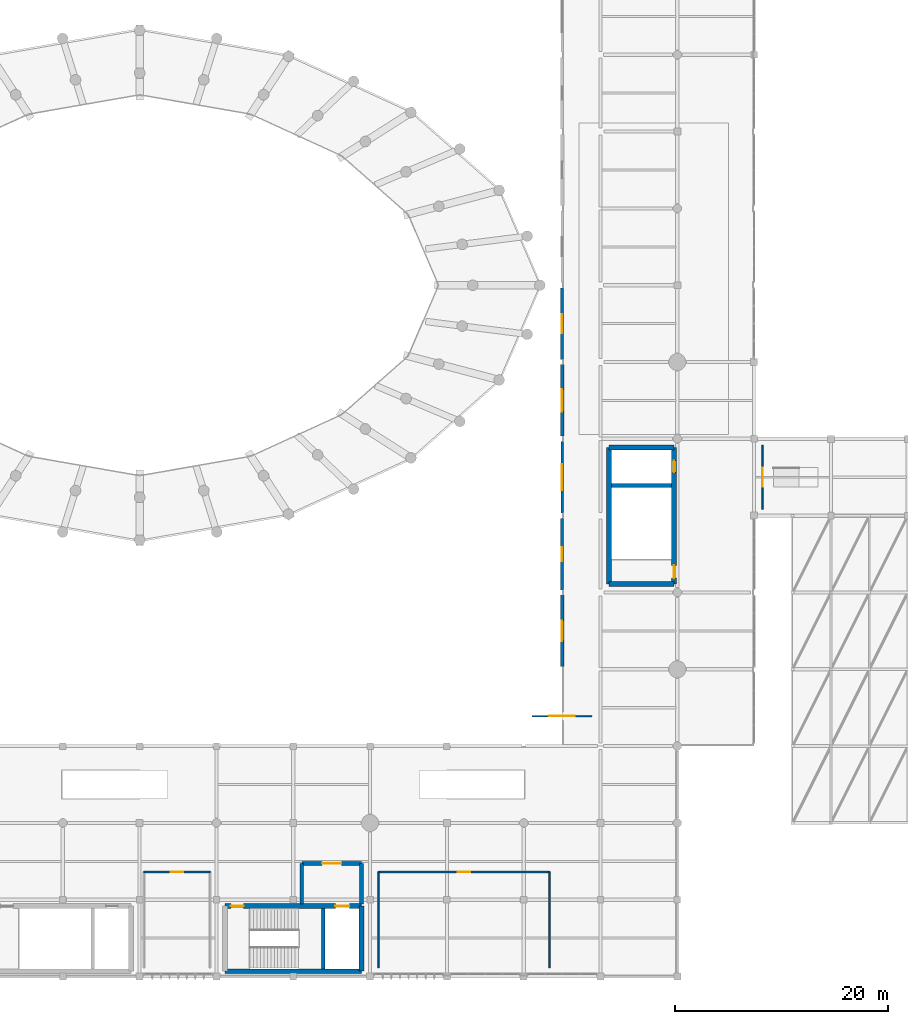
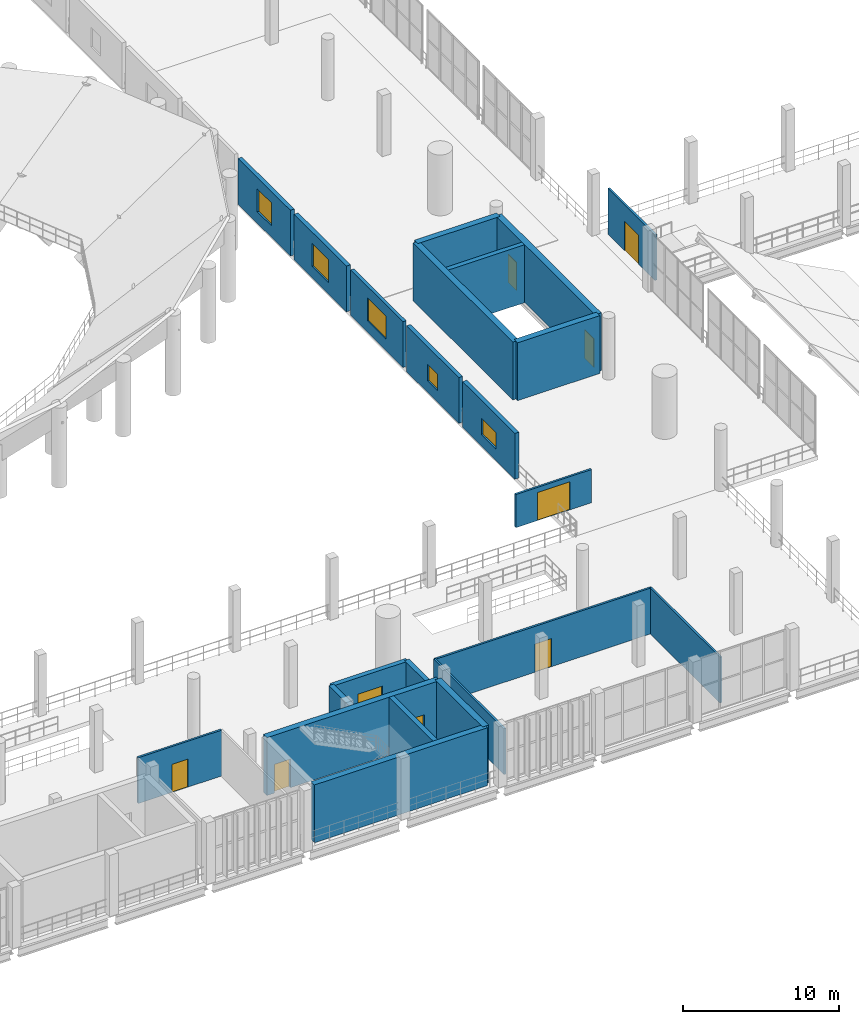
# One storey, part 84 of 105: 23 walls, 9 doors, 5 windows, 14 openings.
"""IFC4 building model written with IfcOpenShell, lengths in metres."""

from ifc_helpers import new_model, si_unit, direction, frame, frame_2d, origin, place, context, subcontext, project, spatial, rectangle, extrude, material, layer, layer_set, type_object, element, fill, save


model = new_model("IFC4")

# Units and contexts
model_context = context("Model", 3, precision=1e-05, world=origin(), true_north=direction((0.0, 1.0)))
body_context = subcontext(model_context, "Body", "Model", "MODEL_VIEW")
ifc_project = project(units=[si_unit("LENGTHUNIT", "METRE"), si_unit("AREAUNIT", "SQUARE_METRE"), si_unit("VOLUMEUNIT", "CUBIC_METRE"), si_unit("PLANEANGLEUNIT", "RADIAN"), si_unit("MASSUNIT", "GRAM", prefix="KILO")], contexts=[model_context])

# Site, building, storey
site_placement = place(None, origin())
site = spatial("IfcSite", under=ifc_project, at=site_placement, CompositionType="ELEMENT")
building_placement = place(site_placement, origin())
building = spatial("IfcBuilding", under=site, at=building_placement, Name="Qandorah Velis Arena", CompositionType="ELEMENT")
storey_placement = place(building_placement, frame((0.0, 0.0, 13.800048828125)))
storey = spatial("IfcBuildingStorey", under=building, at=storey_placement, Name="L03", CompositionType="ELEMENT", Elevation=13.800048828125)

# Wall, opening, window
ifc_material_1 = material(Name="Precast concrete C40/50", Category="concrete")
ifc_layer_1 = layer(ifc_material_1, 0.239990234375)
ifc_layer_set_1 = layer_set([ifc_layer_1], Name="Precast concrete C40/50")
wall_type_1 = type_object("IfcWallType", Name="ARC-WAL-EXT240", PredefinedType="SOLIDWALL", material=ifc_layer_set_1)
wall_1_placement = place(storey_placement, frame((104.39990234375, 43.449951171875, 0.0), z_axis=(0.0, 0.0, 1.0), x_axis=(0.0, 1.0, 0.0)))
wall_1 = element("IfcWall", 1, at=wall_1_placement, inside=storey, type_object=wall_type_1, Name="Precast exterior facade wall L03-21", PredefinedType="SOLIDWALL", context=body_context, shape_type="SweptSolid", body=[
    extrude(rectangle(XDim=6.699951171875, YDim=0.239990234375, at=frame_2d((3.35009765625, 0.0))), origin(), (0.0, 0.0, 1.0), 3.58984375),
])
opening_1_placement = place(wall_1_placement, frame((2.14990234375, 0.0, 0.89990234375)))
opening_1 = element("IfcOpeningElement", 2, at=opening_1_placement, cuts=wall_1, Name="Opening W01", PredefinedType="OPENING", context=body_context, shape_type="SweptSolid", body=[
    extrude(rectangle(XDim=2.39990234375, YDim=1.800048828125, at=frame_2d((1.199951171875, 0.89990234375))), frame((0.0, 0.1298828125, 0.0), z_axis=(0.0, -1.0, 0.0), x_axis=(1.0, 0.0, 0.0)), (0.0, 0.0, 1.0), 0.260009765625),
])
ifc_material_2 = material(Name="Solar-control low-E double glazing", Category="glass")
window_type_1 = type_object("IfcWindowType", Name="ARC-WIN-2400X1800", PartitioningType="TRIPLE_PANEL_HORIZONTAL", PredefinedType="WINDOW", material=ifc_material_2)
window_1_placement = place(opening_1_placement, origin())
window_1 = element("IfcWindow", 3, at=window_1_placement, inside=storey, type_object=window_type_1, Name="Exterior low-E window L03-021", OverallHeight=1.800048828125, OverallWidth=2.39990234375, PartitioningType="SINGLE_PANEL", PredefinedType="WINDOW", context=body_context, shape_type="SweptSolid", body=[
    extrude(rectangle(XDim=2.39990234375, YDim=1.800048828125, at=frame_2d((1.199951171875, 0.89990234375))), frame((0.0, 0.030029296875, 0.0), z_axis=(0.0, -1.0, 0.0), x_axis=(1.0, 0.0, 0.0)), (0.0, 0.0, 1.0), 0.06005859375),
])
fill(opening_1, window_1)

ifc_layer_2 = layer(ifc_material_1, 0.2900390625)
ifc_layer_set_2 = layer_set([ifc_layer_2], Name="Precast concrete C40/50")
wall_type_2 = type_object("IfcWallType", Name="ARC-WAL-EXT290", PredefinedType="SOLIDWALL", material=ifc_layer_set_2)
wall_2_placement = place(storey_placement, frame((104.39990234375, 36.25, 0.0), z_axis=(0.0, 0.0, 1.0), x_axis=(0.0, 1.0, 0.0)))
wall_2 = element("IfcWall", 4, at=wall_2_placement, inside=storey, type_object=wall_type_2, Name="Precast exterior facade wall L03-20", PredefinedType="SOLIDWALL", context=body_context, shape_type="SweptSolid", body=[
    extrude(rectangle(XDim=6.699951171875, YDim=0.2900390625, at=frame_2d((3.35009765625, 0.0))), origin(), (0.0, 0.0, 1.0), 3.58984375),
])
opening_2_placement = place(wall_2_placement, frame((2.699951171875, 0.0, 0.89990234375)))
opening_2 = element("IfcOpeningElement", 5, at=opening_2_placement, cuts=wall_2, Name="Opening W20", PredefinedType="OPENING", context=body_context, shape_type="SweptSolid", body=[
    extrude(rectangle(XDim=1.300048828125, YDim=1.300048828125, at=frame_2d((0.64990234375, 0.64990234375))), frame((0.0, 0.155029296875, 0.0), z_axis=(0.0, -1.0, 0.0), x_axis=(1.0, 0.0, 0.0)), (0.0, 0.0, 1.0), 0.31005859375),
])
window_type_2 = type_object("IfcWindowType", Name="ARC-WIN-1300X1300", PartitioningType="SINGLE_PANEL", PredefinedType="WINDOW", material=ifc_material_2)
window_2_placement = place(opening_2_placement, origin())
window_2 = element("IfcWindow", 6, at=window_2_placement, inside=storey, type_object=window_type_2, Name="Exterior low-E window L03-020", OverallHeight=1.300048828125, OverallWidth=1.300048828125, PartitioningType="SINGLE_PANEL", PredefinedType="WINDOW", context=body_context, shape_type="SweptSolid", body=[
    extrude(rectangle(XDim=1.300048828125, YDim=1.300048828125, at=frame_2d((0.64990234375, 0.64990234375))), frame((0.0, 0.030029296875, 0.0), z_axis=(0.0, -1.0, 0.0), x_axis=(1.0, 0.0, 0.0)), (0.0, 0.0, 1.0), 0.06005859375),
])
fill(opening_2, window_2)

wall_3_placement = place(storey_placement, frame((104.39990234375, 57.85009765625, 0.0), z_axis=(0.0, 0.0, 1.0), x_axis=(0.0, 1.0, 0.0)))
wall_3 = element("IfcWall", 7, at=wall_3_placement, inside=storey, type_object=wall_type_2, Name="Precast exterior facade wall L03-23", PredefinedType="SOLIDWALL", context=body_context, shape_type="SweptSolid", body=[
    extrude(rectangle(XDim=6.699951171875, YDim=0.2900390625, at=frame_2d((3.35009765625, 0.0))), origin(), (0.0, 0.0, 1.0), 3.58984375),
])
opening_3_placement = place(wall_3_placement, frame((2.449951171875, 0.0, 0.89990234375)))
opening_3 = element("IfcOpeningElement", 8, at=opening_3_placement, cuts=wall_3, Name="Opening W03", PredefinedType="OPENING", context=body_context, shape_type="SweptSolid", body=[
    extrude(rectangle(XDim=1.800048828125, YDim=1.800048828125, at=frame_2d((0.89990234375, 0.89990234375))), frame((0.0, 0.155029296875, 0.0), z_axis=(0.0, -1.0, 0.0), x_axis=(1.0, 0.0, 0.0)), (0.0, 0.0, 1.0), 0.31005859375),
])
window_type_3 = type_object("IfcWindowType", Name="ARC-WIN-1800X1800", PartitioningType="DOUBLE_PANEL_VERTICAL", PredefinedType="WINDOW", material=ifc_material_2)
window_3_placement = place(opening_3_placement, origin())
window_3 = element("IfcWindow", 9, at=window_3_placement, inside=storey, type_object=window_type_3, Name="Exterior low-E window L03-023", OverallHeight=1.800048828125, OverallWidth=1.800048828125, PartitioningType="SINGLE_PANEL", PredefinedType="WINDOW", context=body_context, shape_type="SweptSolid", body=[
    extrude(rectangle(XDim=1.800048828125, YDim=1.800048828125, at=frame_2d((0.89990234375, 0.89990234375))), frame((0.0, 0.030029296875, 0.0), z_axis=(0.0, -1.0, 0.0), x_axis=(1.0, 0.0, 0.0)), (0.0, 0.0, 1.0), 0.06005859375),
])
fill(opening_3, window_3)

ifc_layer_3 = layer(ifc_material_1, 0.31005859375)
ifc_layer_set_3 = layer_set([ifc_layer_3], Name="Precast concrete C40/50")
wall_type_3 = type_object("IfcWallType", Name="ARC-WAL-EXT310", PredefinedType="SOLIDWALL", material=ifc_layer_set_3)
wall_4_placement = place(storey_placement, frame((104.39990234375, 29.050048828125, 0.0), z_axis=(0.0, 0.0, 1.0), x_axis=(0.0, 1.0, 0.0)))
wall_4 = element("IfcWall", 10, at=wall_4_placement, inside=storey, type_object=wall_type_3, Name="Precast exterior facade wall L03-19", PredefinedType="SOLIDWALL", context=body_context, shape_type="SweptSolid", body=[
    extrude(rectangle(XDim=6.699951171875, YDim=0.31005859375, at=frame_2d((3.35009765625, 0.0))), origin(), (0.0, 0.0, 1.0), 3.58984375),
])
opening_4_placement = place(wall_4_placement, frame((2.39990234375, 0.0, 0.89990234375)))
opening_4 = element("IfcOpeningElement", 11, at=opening_4_placement, cuts=wall_4, Name="Opening W19", PredefinedType="OPENING", context=body_context, shape_type="SweptSolid", body=[
    extrude(rectangle(XDim=1.89990234375, YDim=1.300048828125, at=frame_2d((0.949951171875, 0.64990234375))), frame((0.0, 0.1650390625, 0.0), z_axis=(0.0, -1.0, 0.0), x_axis=(1.0, 0.0, 0.0)), (0.0, 0.0, 1.0), 0.330078125),
])
window_type_4 = type_object("IfcWindowType", Name="ARC-WIN-1900X1300", PartitioningType="DOUBLE_PANEL_VERTICAL", PredefinedType="WINDOW", material=ifc_material_2)
window_4_placement = place(opening_4_placement, origin())
window_4 = element("IfcWindow", 12, at=window_4_placement, inside=storey, type_object=window_type_4, Name="Exterior low-E window L03-019", OverallHeight=1.300048828125, OverallWidth=1.89990234375, PartitioningType="SINGLE_PANEL", PredefinedType="WINDOW", context=body_context, shape_type="SweptSolid", body=[
    extrude(rectangle(XDim=1.89990234375, YDim=1.300048828125, at=frame_2d((0.949951171875, 0.64990234375))), frame((0.0, 0.030029296875, 0.0), z_axis=(0.0, -1.0, 0.0), x_axis=(1.0, 0.0, 0.0)), (0.0, 0.0, 1.0), 0.06005859375),
])
fill(opening_4, window_4)

wall_5_placement = place(storey_placement, frame((104.39990234375, 50.64990234375, 0.0), z_axis=(0.0, 0.0, 1.0), x_axis=(0.0, 1.0, 0.0)))
wall_5 = element("IfcWall", 13, at=wall_5_placement, inside=storey, type_object=wall_type_3, Name="Precast exterior facade wall L03-22", PredefinedType="SOLIDWALL", context=body_context, shape_type="SweptSolid", body=[
    extrude(rectangle(XDim=6.7001953125, YDim=0.31005859375, at=frame_2d((3.35009765625, 0.0))), origin(), (0.0, 0.0, 1.0), 3.58984375),
])
opening_5_placement = place(wall_5_placement, frame((2.300048828125, 0.0, 0.89990234375)))
opening_5 = element("IfcOpeningElement", 14, at=opening_5_placement, cuts=wall_5, Name="Opening W02", PredefinedType="OPENING", context=body_context, shape_type="SweptSolid", body=[
    extrude(rectangle(XDim=2.10009765625, YDim=1.800048828125, at=frame_2d((1.050048828125, 0.89990234375))), frame((0.0, 0.1650390625, 0.0), z_axis=(0.0, -1.0, 0.0), x_axis=(1.0, 0.0, 0.0)), (0.0, 0.0, 1.0), 0.330078125),
])
window_type_5 = type_object("IfcWindowType", Name="ARC-WIN-2100X1800", PartitioningType="DOUBLE_PANEL_VERTICAL", PredefinedType="WINDOW", material=ifc_material_2)
window_5_placement = place(opening_5_placement, origin())
window_5 = element("IfcWindow", 15, at=window_5_placement, inside=storey, type_object=window_type_5, Name="Exterior low-E window L03-022", OverallHeight=1.800048828125, OverallWidth=2.10009765625, PartitioningType="SINGLE_PANEL", PredefinedType="WINDOW", context=body_context, shape_type="SweptSolid", body=[
    extrude(rectangle(XDim=2.10009765625, YDim=1.800048828125, at=frame_2d((1.050048828125, 0.89990234375))), frame((0.0, 0.030029296875, 0.0), z_axis=(0.0, -1.0, 0.0), x_axis=(1.0, 0.0, 0.0)), (0.0, 0.0, 1.0), 0.06005859375),
])
fill(opening_5, window_5)

# Wall, opening, door
ifc_material_3 = material(Name="Concrete C35/45", Category="concrete")
ifc_layer_4 = layer(ifc_material_3, 0.14990234375)
ifc_layer_set_4 = layer_set([ifc_layer_4], Name="Concrete C35/45")
wall_type_4 = type_object("IfcWallType", Name="ARC-WAL-PART150", PredefinedType="PARTITIONING", material=ifc_layer_set_4)
wall_6_placement = place(storey_placement, frame((71.39990234375, 9.800048828125, 0.0), z_axis=(0.0, 0.0, 1.0), x_axis=(-1.0, 0.0, 0.0)))
wall_6 = element("IfcWall", 16, at=wall_6_placement, inside=storey, type_object=wall_type_4, Name="Interior partition L03-FOOD-1 (N)", PredefinedType="PARTITIONING", context=body_context, shape_type="SweptSolid", body=[
    extrude(rectangle(XDim=6.199951171875, YDim=0.14990234375, at=frame_2d((3.10009765625, 0.0))), origin(), (0.0, 0.0, 1.0), 3.58984375),
])
opening_6_placement = place(wall_6_placement, frame((2.5, 0.0, 0.0)))
opening_6 = element("IfcOpeningElement", 17, at=opening_6_placement, cuts=wall_6, Name="Opening D2", PredefinedType="OPENING", context=body_context, shape_type="SweptSolid", body=[
    extrude(rectangle(XDim=1.199951171875, YDim=2.199951171875, at=frame_2d((0.60009765625, 1.10009765625))), frame((0.0, 0.0849609375, 0.0), z_axis=(0.0, -1.0, 0.0), x_axis=(1.0, 0.0, 0.0)), (0.0, 0.0, 1.0), 0.169921875),
])
ifc_material_4 = material(Name="Solid-core hardwood veneer door", Category="wood")
door_type_1 = type_object("IfcDoorType", Name="ARC-DR-INT1200", OperationType="NOTDEFINED", PredefinedType="DOOR", material=ifc_material_4)
door_1_placement = place(opening_6_placement, origin())
door_1 = element("IfcDoor", 18, at=door_1_placement, inside=storey, type_object=door_type_1, Name="Door L03-FOOD-1", OperationType="SINGLE_SWING_LEFT", OverallHeight=2.199951171875, OverallWidth=1.199951171875, PredefinedType="DOOR", context=body_context, shape_type="SweptSolid", body=[
    extrude(rectangle(XDim=1.199951171875, YDim=2.199951171875, at=frame_2d((0.60009765625, 1.10009765625))), frame((0.0, 0.02490234375, 0.0), z_axis=(0.0, -1.0, 0.0), x_axis=(1.0, 0.0, 0.0)), (0.0, 0.0, 1.0), 0.050048828125),
])
fill(opening_6, door_1)

# Wall
wall_7_placement = place(storey_placement, frame((103.199951171875, 0.800048828125, 0.0), z_axis=(0.0, 0.0, 1.0), x_axis=(0.0, 1.0, 0.0)))
element("IfcWall", 19, at=wall_7_placement, inside=storey, type_object=wall_type_4, Name="Interior partition L03-FOOD-2 (E)", PredefinedType="PARTITIONING", context=body_context, shape_type="SweptSolid", body=[
    extrude(rectangle(XDim=9.0, YDim=0.14990234375, at=frame_2d((4.5, 0.0))), origin(), (0.0, 0.0, 1.0), 3.58984375),
])

# Wall, opening, door
wall_8_placement = place(storey_placement, frame((103.199951171875, 9.800048828125, 0.0), z_axis=(0.0, 0.0, 1.0), x_axis=(-1.0, 0.0, 0.0)))
wall_8 = element("IfcWall", 20, at=wall_8_placement, inside=storey, type_object=wall_type_4, Name="Interior partition L03-FOOD-2 (N)", PredefinedType="PARTITIONING", context=body_context, shape_type="SweptSolid", body=[
    extrude(rectangle(XDim=16.0, YDim=0.14990234375, at=frame_2d((8.0, 0.0))), origin(), (0.0, 0.0, 1.0), 3.58984375),
])
opening_7_placement = place(wall_8_placement, frame((7.39990234375, 0.0, 0.0)))
opening_7 = element("IfcOpeningElement", 21, at=opening_7_placement, cuts=wall_8, Name="Opening D2", PredefinedType="OPENING", context=body_context, shape_type="SweptSolid", body=[
    extrude(rectangle(XDim=1.199951171875, YDim=2.199951171875, at=frame_2d((0.60009765625, 1.10009765625))), frame((0.0, 0.0849609375, 0.0), z_axis=(0.0, -1.0, 0.0), x_axis=(1.0, 0.0, 0.0)), (0.0, 0.0, 1.0), 0.169921875),
])
door_2_placement = place(opening_7_placement, frame((1.199951171875, 0.0, 0.0), z_axis=(0.0, 0.0, 1.0), x_axis=(-1.0, 0.0, 0.0)))
door_2 = element("IfcDoor", 22, at=door_2_placement, inside=storey, type_object=door_type_1, Name="Door L03-FOOD-2", OperationType="SINGLE_SWING_RIGHT", OverallHeight=2.199951171875, OverallWidth=1.199951171875, PredefinedType="DOOR", context=body_context, shape_type="SweptSolid", body=[
    extrude(rectangle(XDim=1.199951171875, YDim=2.199951171875, at=frame_2d((0.60009765625, 1.10009765625))), frame((0.0, 0.02490234375, 0.0), z_axis=(0.0, -1.0, 0.0), x_axis=(1.0, 0.0, 0.0)), (0.0, 0.0, 1.0), 0.050048828125),
])
fill(opening_7, door_2)

# Wall
wall_9_placement = place(storey_placement, frame((87.199951171875, 9.800048828125, 0.0), z_axis=(0.0, 0.0, 1.0), x_axis=(0.0, -1.0, 0.0)))
element("IfcWall", 23, at=wall_9_placement, inside=storey, type_object=wall_type_4, Name="Interior partition L03-FOOD-2 (W)", PredefinedType="PARTITIONING", context=body_context, shape_type="SweptSolid", body=[
    extrude(rectangle(XDim=9.0, YDim=0.14990234375, at=frame_2d((4.5, 0.0))), origin(), (0.0, 0.0, 1.0), 3.58984375),
])

# Wall, opening, door
wall_10_placement = place(storey_placement, frame((123.199951171875, 49.800048828125, 0.0), z_axis=(0.0, 0.0, 1.0), x_axis=(0.0, -1.0, 0.0)))
wall_10 = element("IfcWall", 24, at=wall_10_placement, inside=storey, type_object=wall_type_4, Name="Interior partition L03-FOOD-3 (W)", PredefinedType="PARTITIONING", context=body_context, shape_type="SweptSolid", body=[
    extrude(rectangle(XDim=6.0, YDim=0.14990234375, at=frame_2d((3.0, 0.0))), origin(), (0.0, 0.0, 1.0), 3.58984375),
])
opening_8_placement = place(wall_10_placement, frame((2.10009765625, 0.0, 0.0)))
opening_8 = element("IfcOpeningElement", 25, at=opening_8_placement, cuts=wall_10, Name="Opening D3", PredefinedType="OPENING", context=body_context, shape_type="SweptSolid", body=[
    extrude(rectangle(XDim=1.800048828125, YDim=2.300048828125, at=frame_2d((0.89990234375, 1.14990234375))), frame((0.0, 0.0849609375, 0.0), z_axis=(0.0, -1.0, 0.0), x_axis=(1.0, 0.0, 0.0)), (0.0, 0.0, 1.0), 0.169921875),
])
ifc_material_5 = material(Name="Double-leaf acoustic timber door", Category="wood")
door_type_2 = type_object("IfcDoorType", Name="ARC-DR-DBL1800", OperationType="NOTDEFINED", PredefinedType="DOOR", material=ifc_material_5)
door_3_placement = place(opening_8_placement, origin())
door_3 = element("IfcDoor", 26, at=door_3_placement, inside=storey, type_object=door_type_2, Name="Door L03-FOOD-3", OperationType="DOUBLE_DOOR_SINGLE_SWING", OverallHeight=2.300048828125, OverallWidth=1.800048828125, PredefinedType="DOOR", context=body_context, shape_type="SweptSolid", body=[
    extrude(rectangle(XDim=1.800048828125, YDim=2.300048828125, at=frame_2d((0.89990234375, 1.14990234375))), frame((0.0, 0.02490234375, 0.0), z_axis=(0.0, -1.0, 0.0), x_axis=(1.0, 0.0, 0.0)), (0.0, 0.0, 1.0), 0.050048828125),
])
fill(opening_8, door_3)

wall_11_placement = place(storey_placement, frame((101.60009765625, 24.39990234375, 0.0), z_axis=(0.0, 0.0, 1.0), x_axis=(1.0, 0.0, 0.0)))
wall_11 = element("IfcWall", 27, at=wall_11_placement, inside=storey, type_object=wall_type_4, Name="Concourse control screen wall 06", PredefinedType="PARTITIONING", context=body_context, shape_type="SweptSolid", body=[
    extrude(rectangle(XDim=5.599853515625, YDim=0.14990234375, at=frame_2d((2.7998046875, 0.0))), origin(), (0.0, 0.0, 1.0), 2.599853515625),
])
opening_9_placement = place(wall_11_placement, frame((1.60009765625, 0.0, 0.0)))
opening_9 = element("IfcOpeningElement", 28, at=opening_9_placement, cuts=wall_11, Name="Opening GT1", PredefinedType="OPENING", context=body_context, shape_type="SweptSolid", body=[
    extrude(rectangle(XDim=2.39990234375, YDim=2.199951171875, at=frame_2d((1.199951171875, 1.10009765625))), frame((0.0, 0.0849609375, 0.0), z_axis=(0.0, -1.0, 0.0), x_axis=(1.0, 0.0, 0.0)), (0.0, 0.0, 1.0), 0.169921875),
])
ifc_material_6 = material(Name="Galvanized steel concourse vomitory gate", Category="steel")
door_type_3 = type_object("IfcDoorType", Name="ARC-DR-GAT2400", OperationType="NOTDEFINED", PredefinedType="GATE", material=ifc_material_6)
door_4_placement = place(opening_9_placement, origin())
door_4 = element("IfcDoor", 29, at=door_4_placement, inside=storey, type_object=door_type_3, Name="Concourse vomitory gate GT6", OperationType="DOUBLE_DOOR_SINGLE_SWING", OverallHeight=2.199951171875, OverallWidth=2.39990234375, PredefinedType="GATE", context=body_context, shape_type="SweptSolid", body=[
    extrude(rectangle(XDim=2.39990234375, YDim=2.199951171875, at=frame_2d((1.199951171875, 1.10009765625))), frame((0.0, 0.02490234375, 0.0), z_axis=(0.0, -1.0, 0.0), x_axis=(1.0, 0.0, 0.0)), (0.0, 0.0, 1.0), 0.050048828125),
])
fill(opening_9, door_4)

# Wall
ifc_material_7 = material(Name="Concrete C40/50", Category="concrete")
ifc_layer_5 = layer(ifc_material_7, 0.449951171875)
ifc_layer_set_5 = layer_set([ifc_layer_5], Name="Concrete C40/50")
wall_type_5 = type_object("IfcWallType", Name="STR-WAL-CORE450", PredefinedType="SHEAR", material=ifc_layer_set_5)
wall_12_placement = place(storey_placement, frame((72.800048828125, 0.5, 0.0), z_axis=(0.0, 0.0, 1.0), x_axis=(1.0, 0.0, 0.0)))
element("IfcWall", 30, at=wall_12_placement, inside=storey, type_object=wall_type_5, Name="Core CORE-02 shear wall S (L03)", PredefinedType="SHEAR", context=body_context, shape_type="SweptSolid", body=[
    extrude(rectangle(XDim=12.800048828125, YDim=0.449951171875, at=frame_2d((6.39990234375, 0.0))), origin(), (0.0, 0.0, 1.0), 4.530029296875),
])

# Wall, openings, doors
wall_13_placement = place(storey_placement, frame((72.800048828125, 6.60009765625, 0.0), z_axis=(0.0, 0.0, 1.0), x_axis=(1.0, 0.0, 0.0)))
wall_13 = element("IfcWall", 31, at=wall_13_placement, inside=storey, type_object=wall_type_5, Name="Core CORE-02 shear wall N (L03)", PredefinedType="SHEAR", context=body_context, shape_type="SweptSolid", body=[
    extrude(rectangle(XDim=12.800048828125, YDim=0.449951171875, at=frame_2d((6.39990234375, 0.0))), origin(), (0.0, 0.0, 1.0), 4.530029296875),
])
opening_10_placement = place(wall_13_placement, frame((0.550048828125, 0.0, 0.0)))
opening_10 = element("IfcOpeningElement", 32, at=opening_10_placement, cuts=wall_13, Name="Opening SD1", PredefinedType="OPENING", context=body_context, shape_type="SweptSolid", body=[
    extrude(rectangle(XDim=1.199951171875, YDim=2.25, at=frame_2d((0.60009765625, 1.125))), frame((0.0, 0.23486328125, 0.0), z_axis=(0.0, -1.0, 0.0), x_axis=(1.0, 0.0, 0.0)), (0.0, 0.0, 1.0), 0.469970703125),
])
opening_11_placement = place(wall_13_placement, frame((10.35791015625, 0.0, 0.0)))
opening_11 = element("IfcOpeningElement", 33, at=opening_11_placement, cuts=wall_13, Name="Opening LD2", PredefinedType="OPENING", context=body_context, shape_type="SweptSolid", body=[
    extrude(rectangle(XDim=1.300048828125, YDim=2.25, at=frame_2d((0.64990234375, 1.125))), frame((0.0, 0.23486328125, 0.0), z_axis=(0.0, -1.0, 0.0), x_axis=(1.0, 0.0, 0.0)), (0.0, 0.0, 1.0), 0.469970703125),
])
ifc_material_8 = material(Name="Firefighting stainless sliding lift landing door", Category="steel")
door_type_4 = type_object("IfcDoorType", Name="ARC-DR-LD1300", OperationType="NOTDEFINED", PredefinedType="DOOR", material=ifc_material_8)
door_5_placement = place(opening_11_placement, origin())
door_5 = element("IfcDoor", 34, at=door_5_placement, inside=storey, type_object=door_type_4, Name="Lift FL2 sliding landing door (L03)", OperationType="SLIDING_TO_LEFT", OverallHeight=2.25, OverallWidth=1.300048828125, PredefinedType="DOOR", context=body_context, shape_type="SweptSolid", body=[
    extrude(rectangle(XDim=1.300048828125, YDim=2.25, at=frame_2d((0.64990234375, 1.125))), frame((0.0, 0.02490234375, 0.0), z_axis=(0.0, -1.0, 0.0), x_axis=(1.0, 0.0, 0.0)), (0.0, 0.0, 1.0), 0.050048828125),
])
fill(opening_11, door_5)
ifc_material_9 = material(Name="Self-closing fire-rated stair steel door", Category="steel")
door_type_5 = type_object("IfcDoorType", Name="ARC-DR-ST1200", OperationType="NOTDEFINED", PredefinedType="DOOR", material=ifc_material_9)
door_6_placement = place(opening_10_placement, frame((1.199951171875, 0.0, 0.0), z_axis=(0.0, 0.0, 1.0), x_axis=(-1.0, 0.0, 0.0)))
door_6 = element("IfcDoor", 35, at=door_6_placement, inside=storey, type_object=door_type_5, Name="Stair ST2 fire door (L03)", OperationType="SINGLE_SWING_LEFT", OverallHeight=2.25, OverallWidth=1.199951171875, PredefinedType="DOOR", context=body_context, shape_type="SweptSolid", body=[
    extrude(rectangle(XDim=1.199951171875, YDim=2.25, at=frame_2d((0.60009765625, 1.125))), frame((0.0, 0.02490234375, 0.0), z_axis=(0.0, -1.0, 0.0), x_axis=(1.0, 0.0, 0.0)), (0.0, 0.0, 1.0), 0.050048828125),
])
fill(opening_10, door_6)

# Walls
wall_14_placement = place(storey_placement, frame((85.60009765625, 0.5, 0.0), z_axis=(0.0, 0.0, 1.0), x_axis=(0.0, 1.0, 0.0)))
element("IfcWall", 36, at=wall_14_placement, inside=storey, type_object=wall_type_5, Name="Core CORE-02 shear wall E (L03)", PredefinedType="SHEAR", context=body_context, shape_type="SweptSolid", body=[
    extrude(rectangle(XDim=6.10009765625, YDim=0.449951171875, at=frame_2d((3.050048828125, 0.0))), origin(), (0.0, 0.0, 1.0), 4.530029296875),
])
for number, where, z_axis, x_axis, name in (
    (37, (108.800048828125, 36.800048828125, 0.0), (0.0, 0.0, 1.0), (1.0, 0.0, 0.0), "Core CORE-11 shear wall S (L03)"),
    (38, (108.800048828125, 49.60009765625, 0.0), (0.0, 0.0, 1.0), (1.0, 0.0, 0.0), "Core CORE-11 shear wall N (L03)"),
):
    element("IfcWall", number, at=place(storey_placement, frame(where, z_axis=z_axis, x_axis=x_axis)), inside=storey, type_object=wall_type_5, Name=name, PredefinedType="SHEAR", context=body_context, shape_type="SweptSolid", body=[
        extrude(rectangle(XDim=6.099853515625, YDim=0.449951171875, at=frame_2d((3.0498046875, 0.0))), origin(), (0.0, 0.0, 1.0), 4.530029296875),
    ])
wall_15_placement = place(storey_placement, frame((108.800048828125, 36.800048828125, 0.0), z_axis=(0.0, 0.0, 1.0), x_axis=(0.0, 1.0, 0.0)))
element("IfcWall", 39, at=wall_15_placement, inside=storey, type_object=wall_type_5, Name="Core CORE-11 shear wall W (L03)", PredefinedType="SHEAR", context=body_context, shape_type="SweptSolid", body=[
    extrude(rectangle(XDim=12.800048828125, YDim=0.449951171875, at=frame_2d((6.39990234375, 0.0))), origin(), (0.0, 0.0, 1.0), 4.530029296875),
])

# Wall, openings, doors
wall_16_placement = place(storey_placement, frame((114.89990234375, 36.800048828125, 0.0), z_axis=(0.0, 0.0, 1.0), x_axis=(0.0, 1.0, 0.0)))
wall_16 = element("IfcWall", 40, at=wall_16_placement, inside=storey, type_object=wall_type_5, Name="Core CORE-11 shear wall E (L03)", PredefinedType="SHEAR", context=body_context, shape_type="SweptSolid", body=[
    extrude(rectangle(XDim=12.800048828125, YDim=0.449951171875, at=frame_2d((6.39990234375, 0.0))), origin(), (0.0, 0.0, 1.0), 4.530029296875),
])
opening_12_placement = place(wall_16_placement, frame((0.550048828125, 0.0, 0.0)))
opening_12 = element("IfcOpeningElement", 41, at=opening_12_placement, cuts=wall_16, Name="Opening SD1", PredefinedType="OPENING", context=body_context, shape_type="SweptSolid", body=[
    extrude(rectangle(XDim=1.199951171875, YDim=2.25, at=frame_2d((0.60009765625, 1.125))), frame((0.0, 0.23486328125, 0.0), z_axis=(0.0, -1.0, 0.0), x_axis=(1.0, 0.0, 0.0)), (0.0, 0.0, 1.0), 0.469970703125),
])
opening_13_placement = place(wall_16_placement, frame((10.4580078125, 0.0, 0.0)))
opening_13 = element("IfcOpeningElement", 42, at=opening_13_placement, cuts=wall_16, Name="Opening LD1", PredefinedType="OPENING", context=body_context, shape_type="SweptSolid", body=[
    extrude(rectangle(XDim=1.10009765625, YDim=2.199951171875, at=frame_2d((0.550048828125, 1.10009765625))), frame((0.0, 0.23486328125, 0.0), z_axis=(0.0, -1.0, 0.0), x_axis=(1.0, 0.0, 0.0)), (0.0, 0.0, 1.0), 0.469970703125),
])
ifc_material_10 = material(Name="Stainless steel sliding lift landing door", Category="steel")
door_type_6 = type_object("IfcDoorType", Name="ARC-DR-LD1100", OperationType="NOTDEFINED", PredefinedType="DOOR", material=ifc_material_10)
door_7_placement = place(opening_13_placement, origin())
door_7 = element("IfcDoor", 43, at=door_7_placement, inside=storey, type_object=door_type_6, Name="Lift PL8 sliding landing door (L03)", OperationType="SLIDING_TO_RIGHT", OverallHeight=2.199951171875, OverallWidth=1.10009765625, PredefinedType="DOOR", context=body_context, shape_type="SweptSolid", body=[
    extrude(rectangle(XDim=1.10009765625, YDim=2.199951171875, at=frame_2d((0.550048828125, 1.10009765625))), frame((0.0, 0.02490234375, 0.0), z_axis=(0.0, -1.0, 0.0), x_axis=(1.0, 0.0, 0.0)), (0.0, 0.0, 1.0), 0.050048828125),
])
fill(opening_13, door_7)
door_8_placement = place(opening_12_placement, origin())
door_8 = element("IfcDoor", 44, at=door_8_placement, inside=storey, type_object=door_type_5, Name="Stair ST11 fire door (L03)", OperationType="SINGLE_SWING_LEFT", OverallHeight=2.25, OverallWidth=1.199951171875, PredefinedType="DOOR", context=body_context, shape_type="SweptSolid", body=[
    extrude(rectangle(XDim=1.199951171875, YDim=2.25, at=frame_2d((0.60009765625, 1.125))), frame((0.0, 0.02490234375, 0.0), z_axis=(0.0, -1.0, 0.0), x_axis=(1.0, 0.0, 0.0)), (0.0, 0.0, 1.0), 0.050048828125),
])
fill(opening_12, door_8)

# Walls
ifc_layer_6 = layer(ifc_material_7, 0.35009765625)
ifc_layer_set_6 = layer_set([ifc_layer_6], Name="Concrete C40/50")
wall_type_6 = type_object("IfcWallType", Name="STR-WAL-SH350", PredefinedType="SHEAR", material=ifc_layer_set_6)
wall_17_placement = place(storey_placement, frame((82.01611328125, 0.72509765625, 0.0), z_axis=(0.0, 0.0, 1.0), x_axis=(0.0, 1.0, 0.0)))
element("IfcWall", 45, at=wall_17_placement, inside=storey, type_object=wall_type_6, Name="Core CORE-02 shaft divider shear wall (L03)", PredefinedType="SHEAR", context=body_context, shape_type="SweptSolid", body=[
    extrude(rectangle(XDim=5.64990234375, YDim=0.35009765625, at=frame_2d((2.824951171875, 0.0))), origin(), (0.0, 0.0, 1.0), 4.530029296875),
])
wall_18_placement = place(storey_placement, frame((109.02490234375, 46.01611328125, 0.0), z_axis=(0.0, 0.0, 1.0), x_axis=(1.0, 0.0, 0.0)))
element("IfcWall", 46, at=wall_18_placement, inside=storey, type_object=wall_type_6, Name="Core CORE-11 shaft divider shear wall (L03)", PredefinedType="SHEAR", context=body_context, shape_type="SweptSolid", body=[
    extrude(rectangle(XDim=5.650146484375, YDim=0.35009765625, at=frame_2d((2.8251953125, 0.0))), origin(), (0.0, 0.0, 1.0), 4.530029296875),
])
wall_19_placement = place(storey_placement, frame((85.60009765625, 6.800048828125, 0.0), z_axis=(0.0, 0.0, 1.0), x_axis=(0.0, 1.0, 0.0)))
element("IfcWall", 47, at=wall_19_placement, inside=storey, type_object=wall_type_6, Name="Interior partition FFL-FL2-L03 (E)", PredefinedType="SHEAR", context=body_context, shape_type="SweptSolid", body=[
    extrude(rectangle(XDim=3.800048828125, YDim=0.35009765625, at=frame_2d((1.89990234375, 0.0))), origin(), (0.0, 0.0, 1.0), 3.58984375),
])

# Wall, opening, door
wall_20_placement = place(storey_placement, frame((85.60009765625, 10.60009765625, 0.0), z_axis=(0.0, 0.0, 1.0), x_axis=(-1.0, 0.0, 0.0)))
wall_20 = element("IfcWall", 48, at=wall_20_placement, inside=storey, type_object=wall_type_6, Name="Interior partition FFL-FL2-L03 (N)", PredefinedType="SHEAR", context=body_context, shape_type="SweptSolid", body=[
    extrude(rectangle(XDim=5.60009765625, YDim=0.35009765625, at=frame_2d((2.800048828125, 0.0))), origin(), (0.0, 0.0, 1.0), 3.58984375),
])
opening_14_placement = place(wall_20_placement, frame((1.89990234375, 0.0, 0.0)))
opening_14 = element("IfcOpeningElement", 49, at=opening_14_placement, cuts=wall_20, Name="Opening FD1", PredefinedType="OPENING", context=body_context, shape_type="SweptSolid", body=[
    extrude(rectangle(XDim=1.800048828125, YDim=2.300048828125, at=frame_2d((0.89990234375, 1.14990234375))), frame((0.0, 0.18505859375, 0.0), z_axis=(0.0, -1.0, 0.0), x_axis=(1.0, 0.0, 0.0)), (0.0, 0.0, 1.0), 0.3701171875),
])
ifc_material_11 = material(Name="Insulated fire-rated double steel door", Category="steel")
door_type_7 = type_object("IfcDoorType", Name="ARC-DR-FD1800", OperationType="NOTDEFINED", PredefinedType="DOOR", material=ifc_material_11)
door_9_placement = place(opening_14_placement, origin())
door_9 = element("IfcDoor", 50, at=door_9_placement, inside=storey, type_object=door_type_7, Name="Door FFL-FL2-L03", OperationType="DOUBLE_DOOR_SINGLE_SWING", OverallHeight=2.300048828125, OverallWidth=1.800048828125, PredefinedType="DOOR", context=body_context, shape_type="SweptSolid", body=[
    extrude(rectangle(XDim=1.800048828125, YDim=2.300048828125, at=frame_2d((0.89990234375, 1.14990234375))), frame((0.0, 0.02490234375, 0.0), z_axis=(0.0, -1.0, 0.0), x_axis=(1.0, 0.0, 0.0)), (0.0, 0.0, 1.0), 0.050048828125),
])
fill(opening_14, door_9)

# Wall
wall_21_placement = place(storey_placement, frame((80.0, 10.60009765625, 0.0), z_axis=(0.0, 0.0, 1.0), x_axis=(0.0, -1.0, 0.0)))
element("IfcWall", 51, at=wall_21_placement, inside=storey, type_object=wall_type_6, Name="Interior partition FFL-FL2-L03 (W)", PredefinedType="SHEAR", context=body_context, shape_type="SweptSolid", body=[
    extrude(rectangle(XDim=3.800048828125, YDim=0.35009765625, at=frame_2d((1.89990234375, 0.0))), origin(), (0.0, 0.0, 1.0), 3.58984375),
])

save(model, "model.ifc")
